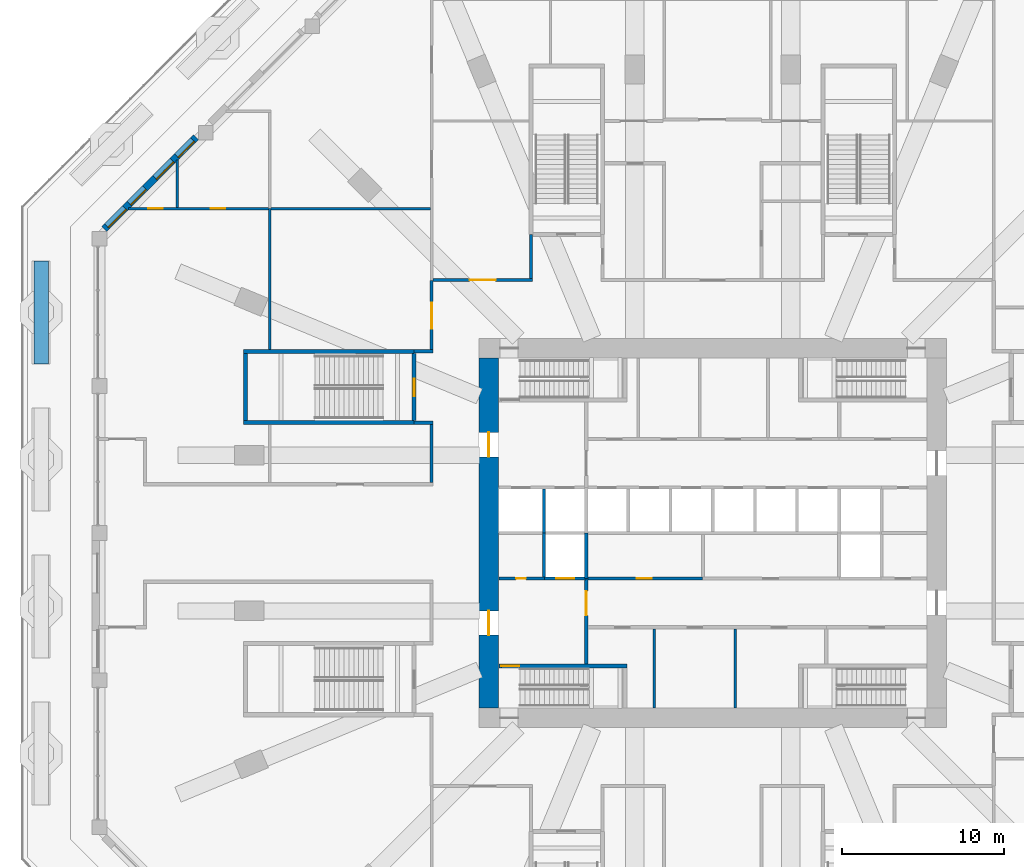
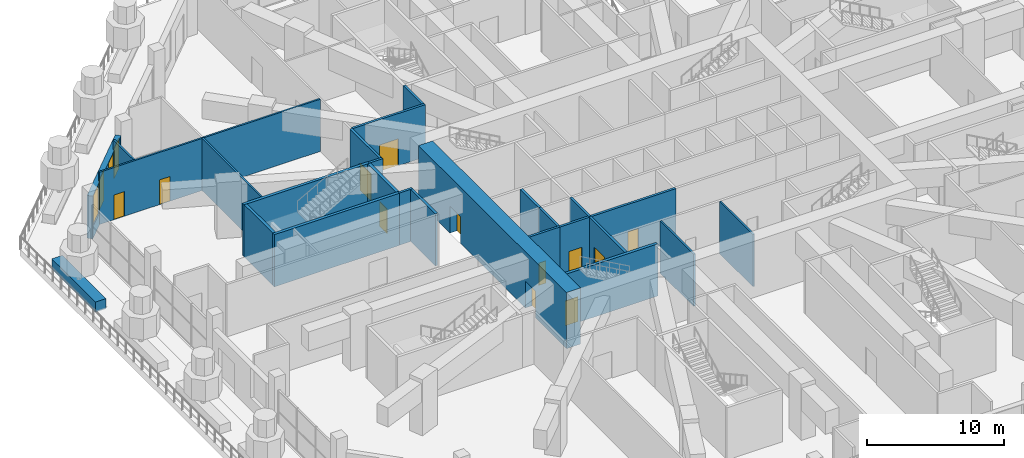
# One storey, part 16 of 25: 26 walls, 12 doors, 4 windows, 16 openings.
"""IFC4 building model written with IfcOpenShell, lengths in metres."""

from ifc_helpers import new_model, si_unit, direction, frame, frame_2d, origin, place, context, subcontext, project, spatial, rectangle, extrude, material, layer, layer_set, type_object, element, fill, save


model = new_model("IFC4")

# Units and contexts
model_context = context("Model", 3, precision=1e-05, world=origin(), true_north=direction((0.0, 1.0)))
body_context = subcontext(model_context, "Body", "Model", "MODEL_VIEW")
ifc_project = project(units=[si_unit("LENGTHUNIT", "METRE"), si_unit("AREAUNIT", "SQUARE_METRE"), si_unit("VOLUMEUNIT", "CUBIC_METRE"), si_unit("PLANEANGLEUNIT", "RADIAN"), si_unit("MASSUNIT", "GRAM", prefix="KILO")], contexts=[model_context])

# Site, building, storey
site_placement = place(None, origin())
site = spatial("IfcSite", under=ifc_project, at=site_placement, CompositionType="ELEMENT")
building_placement = place(site_placement, origin())
building = spatial("IfcBuilding", under=site, at=building_placement, Name="Msitu Wima Residences", CompositionType="ELEMENT")
storey_placement = place(building_placement, frame((0.0, 0.0, 11.0)))
storey = spatial("IfcBuildingStorey", under=building, at=storey_placement, Name="L02", CompositionType="ELEMENT", Elevation=11.0)

# Wall, openings, windows
ifc_material_1 = material(Name="Brick (red buff mix), cavity wall of two leaves", Category="masonry")
ifc_layer_1 = layer(ifc_material_1, 0.449951171875)
ifc_layer_set_1 = layer_set([ifc_layer_1], Name="Brick (red buff mix), cavity wall of two leaves")
wall_type_1 = type_object("IfcWallType", Name="Brick infill wall BW450 podium", PredefinedType="ELEMENTEDWALL", material=ifc_layer_set_1)
wall_1_placement = place(storey_placement, frame((-31.851806640625, 24.394287109375, 0.0), z_axis=(0.0, 0.0, 1.0), x_axis=(-0.707106781187, -0.707106781187, 0.0)))
wall_1 = element("IfcWall", 1, at=wall_1_placement, inside=storey, type_object=wall_type_1, Name="Brick infill wall L02 NW2", PredefinedType="ELEMENTEDWALL", context=body_context, shape_type="SweptSolid", body=[
    extrude(rectangle(XDim=8.00048828125, YDim=0.449951171875, at=frame_2d((4.000244140625, 0.0))), origin(), (0.0, 0.0, 1.0), 3.800048828125),
])
opening_1_placement = place(wall_1_placement, frame((0.250244140625, 0.0, 1.050048828125)))
opening_1 = element("IfcOpeningElement", 2, at=opening_1_placement, cuts=wall_1, Name="Opening W02.011", PredefinedType="OPENING", context=body_context, shape_type="SweptSolid", body=[
    extrude(rectangle(XDim=1.39990234375, YDim=2.699951171875, at=frame_2d((0.699951171875, 1.35009765625))), frame((0.0, 0.23486328125, 0.0), z_axis=(0.0, -1.0, 0.0), x_axis=(1.0, 0.0, 0.0)), (0.0, 0.0, 1.0), 0.469970703125),
])
opening_2_placement = place(wall_1_placement, frame((2.048583984375, 0.0, 1.050048828125)))
opening_2 = element("IfcOpeningElement", 3, at=opening_2_placement, cuts=wall_1, Name="Opening W02.012", PredefinedType="OPENING", context=body_context, shape_type="SweptSolid", body=[
    extrude(rectangle(XDim=1.5, YDim=2.699951171875, at=frame_2d((0.75, 1.35009765625))), frame((0.0, 0.23486328125, 0.0), z_axis=(0.0, -1.0, 0.0), x_axis=(1.0, 0.0, 0.0)), (0.0, 0.0, 1.0), 0.469970703125),
])
opening_3_placement = place(wall_1_placement, frame((4.450439453125, 0.0, 1.050048828125)))
opening_3 = element("IfcOpeningElement", 4, at=opening_3_placement, cuts=wall_1, Name="Opening W02.013", PredefinedType="OPENING", context=body_context, shape_type="SweptSolid", body=[
    extrude(rectangle(XDim=1.340087890625, YDim=2.699951171875, at=frame_2d((0.669921875, 1.35009765625))), frame((0.0, 0.23486328125, 0.0), z_axis=(0.0, -1.0, 0.0), x_axis=(1.0, 0.0, 0.0)), (0.0, 0.0, 1.0), 0.469970703125),
])
opening_4_placement = place(wall_1_placement, frame((6.189697265625, 0.0, 1.050048828125)))
opening_4 = element("IfcOpeningElement", 5, at=opening_4_placement, cuts=wall_1, Name="Opening W02.014", PredefinedType="OPENING", context=body_context, shape_type="SweptSolid", body=[
    extrude(rectangle(XDim=1.56005859375, YDim=2.699951171875, at=frame_2d((0.780029296875, 1.35009765625))), frame((0.0, 0.23486328125, 0.0), z_axis=(0.0, -1.0, 0.0), x_axis=(1.0, 0.0, 0.0)), (0.0, 0.0, 1.0), 0.469970703125),
])
ifc_material_2 = material(Name="Anodised aluminium, bronze finish, clear low-emissivity double glazing", Category="aluminium")
window_type_1 = type_object("IfcWindowType", Name="Window W1340x2700", PartitioningType="DOUBLE_PANEL_VERTICAL", PredefinedType="WINDOW", material=ifc_material_2)
window_1_placement = place(opening_3_placement, origin())
window_1 = element("IfcWindow", 6, at=window_1_placement, inside=storey, type_object=window_type_1, Name="Window L02 NW2.2a", OverallHeight=2.699951171875, OverallWidth=1.340087890625, PartitioningType="SINGLE_PANEL", PredefinedType="WINDOW", context=body_context, shape_type="SweptSolid", body=[
    extrude(rectangle(XDim=1.340087890625, YDim=2.699951171875, at=frame_2d((0.669921875, 1.35009765625))), frame((0.0, 0.135009765625, 0.0), z_axis=(0.0, -1.0, 0.0), x_axis=(1.0, 0.0, 0.0)), (0.0, 0.0, 1.0), 0.06005859375),
])
fill(opening_3, window_1)
window_type_2 = type_object("IfcWindowType", Name="Window W1400x2700", PartitioningType="DOUBLE_PANEL_VERTICAL", PredefinedType="WINDOW", material=ifc_material_2)
window_2_placement = place(opening_1_placement, origin())
window_2 = element("IfcWindow", 7, at=window_2_placement, inside=storey, type_object=window_type_2, Name="Window L02 NW2.1a", OverallHeight=2.699951171875, OverallWidth=1.39990234375, PartitioningType="SINGLE_PANEL", PredefinedType="WINDOW", context=body_context, shape_type="SweptSolid", body=[
    extrude(rectangle(XDim=1.39990234375, YDim=2.699951171875, at=frame_2d((0.699951171875, 1.35009765625))), frame((0.0, 0.135009765625, 0.0), z_axis=(0.0, -1.0, 0.0), x_axis=(1.0, 0.0, 0.0)), (0.0, 0.0, 1.0), 0.06005859375),
])
fill(opening_1, window_2)
window_type_3 = type_object("IfcWindowType", Name="Window W1500x2700", PartitioningType="DOUBLE_PANEL_VERTICAL", PredefinedType="WINDOW", material=ifc_material_2)
window_3_placement = place(opening_2_placement, origin())
window_3 = element("IfcWindow", 8, at=window_3_placement, inside=storey, type_object=window_type_3, Name="Window L02 NW2.1b", OverallHeight=2.699951171875, OverallWidth=1.5, PartitioningType="SINGLE_PANEL", PredefinedType="WINDOW", context=body_context, shape_type="SweptSolid", body=[
    extrude(rectangle(XDim=1.5, YDim=2.699951171875, at=frame_2d((0.75, 1.35009765625))), frame((0.0, 0.135009765625, 0.0), z_axis=(0.0, -1.0, 0.0), x_axis=(1.0, 0.0, 0.0)), (0.0, 0.0, 1.0), 0.06005859375),
])
fill(opening_2, window_3)
window_type_4 = type_object("IfcWindowType", Name="Window W1560x2700", PartitioningType="DOUBLE_PANEL_VERTICAL", PredefinedType="WINDOW", material=ifc_material_2)
window_4_placement = place(opening_4_placement, origin())
window_4 = element("IfcWindow", 9, at=window_4_placement, inside=storey, type_object=window_type_4, Name="Window L02 NW2.2b", OverallHeight=2.699951171875, OverallWidth=1.56005859375, PartitioningType="SINGLE_PANEL", PredefinedType="WINDOW", context=body_context, shape_type="SweptSolid", body=[
    extrude(rectangle(XDim=1.56005859375, YDim=2.699951171875, at=frame_2d((0.780029296875, 1.35009765625))), frame((0.0, 0.135009765625, 0.0), z_axis=(0.0, -1.0, 0.0), x_axis=(1.0, 0.0, 0.0)), (0.0, 0.0, 1.0), 0.06005859375),
])
fill(opening_4, window_4)

# Wall, openings, doors
ifc_material_3 = material(Name="Concrete C80/95", Category="concrete")
ifc_layer_2 = layer(ifc_material_3, 1.199951171875)
ifc_layer_set_2 = layer_set([ifc_layer_2], Name="Concrete C80/95")
wall_type_2 = type_object("IfcWallType", Name="Core wall CW1200 C80/95", PredefinedType="SHEAR", material=ifc_layer_set_2)
wall_2_placement = place(storey_placement, frame((-13.800048828125, -10.800048828125, 0.0), z_axis=(0.0, 0.0, 1.0), x_axis=(0.0, 1.0, 0.0)))
wall_2 = element("IfcWall", 10, at=wall_2_placement, inside=storey, type_object=wall_type_2, Name="Core wall", PredefinedType="SHEAR", context=body_context, shape_type="SweptSolid", body=[
    extrude(rectangle(XDim=21.60009765625, YDim=1.199951171875, at=frame_2d((10.800048828125, 0.0))), origin(), (0.0, 0.0, 1.0), 5.0),
])
opening_5_placement = place(wall_2_placement, frame((15.5, 0.0, 0.0)))
opening_5 = element("IfcOpeningElement", 11, at=opening_5_placement, cuts=wall_2, Name="Opening D02.062", PredefinedType="OPENING", context=body_context, shape_type="SweptSolid", body=[
    extrude(rectangle(XDim=1.5, YDim=2.39990234375, at=frame_2d((0.75, 1.199951171875))), frame((0.0, 0.60986328125, 0.0), z_axis=(0.0, -1.0, 0.0), x_axis=(1.0, 0.0, 0.0)), (0.0, 0.0, 1.0), 1.219970703125),
])
opening_6_placement = place(wall_2_placement, frame((4.5, 0.0, 0.0)))
opening_6 = element("IfcOpeningElement", 12, at=opening_6_placement, cuts=wall_2, Name="Opening D02.063", PredefinedType="OPENING", context=body_context, shape_type="SweptSolid", body=[
    extrude(rectangle(XDim=1.5, YDim=2.39990234375, at=frame_2d((0.75, 1.199951171875))), frame((0.0, 0.60986328125, 0.0), z_axis=(0.0, -1.0, 0.0), x_axis=(1.0, 0.0, 0.0)), (0.0, 0.0, 1.0), 1.219970703125),
])
ifc_material_4 = material(Name="Steel framed glazed door, fire resisting", Category="steel")
door_type_1 = type_object("IfcDoorType", Name="Lobby door D07 1500x2400", OperationType="DOUBLE_DOOR_SINGLE_SWING", PredefinedType="DOOR", material=ifc_material_4)
door_1_placement = place(opening_5_placement, origin())
door_1 = element("IfcDoor", 13, at=door_1_placement, inside=storey, type_object=door_type_1, Name="Lobby door", OperationType="DOUBLE_DOOR_SINGLE_SWING", OverallHeight=2.39990234375, OverallWidth=1.5, PredefinedType="DOOR", context=body_context, shape_type="SweptSolid", body=[
    extrude(rectangle(XDim=1.5, YDim=2.39990234375, at=frame_2d((0.75, 1.199951171875))), frame((0.0, 0.02490234375, 0.0), z_axis=(0.0, -1.0, 0.0), x_axis=(1.0, 0.0, 0.0)), (0.0, 0.0, 1.0), 0.050048828125),
])
fill(opening_5, door_1)
door_2_placement = place(opening_6_placement, origin())
door_2 = element("IfcDoor", 14, at=door_2_placement, inside=storey, type_object=door_type_1, Name="Lobby door", OperationType="DOUBLE_DOOR_SINGLE_SWING", OverallHeight=2.39990234375, OverallWidth=1.5, PredefinedType="DOOR", context=body_context, shape_type="SweptSolid", body=[
    extrude(rectangle(XDim=1.5, YDim=2.39990234375, at=frame_2d((0.75, 1.199951171875))), frame((0.0, 0.02490234375, 0.0), z_axis=(0.0, -1.0, 0.0), x_axis=(1.0, 0.0, 0.0)), (0.0, 0.0, 1.0), 0.050048828125),
])
fill(opening_6, door_2)

# Walls
ifc_material_5 = material(Name="Plaster")
ifc_layer_3 = layer(ifc_material_5, 0.011962890625, Name="Plaster")
ifc_material_6 = material(Name="Concrete blockwork", Category="masonry")
ifc_layer_4 = layer(ifc_material_6, 0.176025390625, Name="Concrete blockwork")
ifc_layer_5 = layer(ifc_material_5, 0.011962890625, Name="Plaster")
ifc_layer_set_3 = layer_set([ifc_layer_3, ifc_layer_4, ifc_layer_5], Name="Concrete blockwork")
wall_type_3 = type_object("IfcWallType", Name="Corridor wall FW200", PredefinedType="PARTITIONING", material=ifc_layer_set_3)
for number, where, z_axis, x_axis, name in (
    (15, (-18.39990234375, 6.800048828125, 0.0), (0.0, 0.0, 1.0), (1.0, 0.0, 0.0), "Corridor wall"),
    (16, (-18.39990234375, 11.199951171875, 0.0), (0.0, 0.0, 1.0), (1.0, 0.0, 0.0), "Corridor wall"),
):
    element("IfcWall", number, at=place(storey_placement, frame(where, z_axis=z_axis, x_axis=x_axis)), inside=storey, type_object=wall_type_3, Name=name, PredefinedType="PARTITIONING", context=body_context, shape_type="SweptSolid", body=[
        extrude(rectangle(XDim=1.171875, YDim=0.199951171875, at=frame_2d((0.5859375, 0.0))), origin(), (0.0, 0.0, 1.0), 4.64990234375),
    ])
wall_3_placement = place(storey_placement, frame((-17.327880859375, 3.10009765625, 0.0), z_axis=(0.0, 0.0, 1.0), x_axis=(0.0, 1.0, 0.0)))
element("IfcWall", 17, at=wall_3_placement, inside=storey, type_object=wall_type_3, Name="Corridor wall", PredefinedType="PARTITIONING", context=body_context, shape_type="SweptSolid", body=[
    extrude(rectangle(XDim=3.599853515625, YDim=0.199951171875, at=frame_2d((1.7998046875, 0.0))), origin(), (0.0, 0.0, 1.0), 4.64990234375),
])

# Wall, opening, door
wall_4_placement = place(storey_placement, frame((-17.327880859375, 11.300048828125, 0.0), z_axis=(0.0, 0.0, 1.0), x_axis=(0.0, 1.0, 0.0)))
wall_4 = element("IfcWall", 18, at=wall_4_placement, inside=storey, type_object=wall_type_3, Name="Corridor wall", PredefinedType="PARTITIONING", context=body_context, shape_type="SweptSolid", body=[
    extrude(rectangle(XDim=4.280029296875, YDim=0.199951171875, at=frame_2d((2.14013671875, 0.0))), origin(), (0.0, 0.0, 1.0), 4.64990234375),
])
opening_7_placement = place(wall_4_placement, frame((1.300048828125, 0.0, 0.0)))
opening_7 = element("IfcOpeningElement", 19, at=opening_7_placement, cuts=wall_4, Name="Opening D02.046", PredefinedType="OPENING", context=body_context, shape_type="SweptSolid", body=[
    extrude(rectangle(XDim=1.60009765625, YDim=2.39990234375, at=frame_2d((0.800048828125, 1.199951171875))), frame((0.0, 0.10986328125, 0.0), z_axis=(0.0, -1.0, 0.0), x_axis=(1.0, 0.0, 0.0)), (0.0, 0.0, 1.0), 0.219970703125),
])
ifc_material_7 = material(Name="Black aluminium glazed door", Category="aluminium")
door_type_2 = type_object("IfcDoorType", Name="Amenity door D10 1600x2400", OperationType="DOUBLE_DOOR_SINGLE_SWING", PredefinedType="DOOR", material=ifc_material_7)
door_3_placement = place(opening_7_placement, origin())
door_3 = element("IfcDoor", 20, at=door_3_placement, inside=storey, type_object=door_type_2, Name="Amenity door", OperationType="DOUBLE_DOOR_SINGLE_SWING", OverallHeight=2.39990234375, OverallWidth=1.60009765625, PredefinedType="DOOR", context=body_context, shape_type="SweptSolid", body=[
    extrude(rectangle(XDim=1.60009765625, YDim=2.39990234375, at=frame_2d((0.800048828125, 1.199951171875))), frame((0.0, 0.02490234375, 0.0), z_axis=(0.0, -1.0, 0.0), x_axis=(1.0, 0.0, 0.0)), (0.0, 0.0, 1.0), 0.050048828125),
])
fill(opening_7, door_3)

wall_5_placement = place(storey_placement, frame((-17.22802734375, 15.60009765625, 0.0), z_axis=(0.0, 0.0, 1.0), x_axis=(1.0, 0.0, 0.0)))
wall_5 = element("IfcWall", 21, at=wall_5_placement, inside=storey, type_object=wall_type_3, Name="Corridor wall", PredefinedType="PARTITIONING", context=body_context, shape_type="SweptSolid", body=[
    extrude(rectangle(XDim=6.1279296875, YDim=0.199951171875, at=frame_2d((3.06396484375, 0.0))), origin(), (0.0, 0.0, 1.0), 4.64990234375),
])
opening_8_placement = place(wall_5_placement, frame((2.25, 0.0, 0.0)))
opening_8 = element("IfcOpeningElement", 22, at=opening_8_placement, cuts=wall_5, Name="Opening D02.040", PredefinedType="OPENING", context=body_context, shape_type="SweptSolid", body=[
    extrude(rectangle(XDim=1.60009765625, YDim=2.39990234375, at=frame_2d((0.800048828125, 1.199951171875))), frame((0.0, 0.10986328125, 0.0), z_axis=(0.0, -1.0, 0.0), x_axis=(1.0, 0.0, 0.0)), (0.0, 0.0, 1.0), 0.219970703125),
])
door_4_placement = place(opening_8_placement, origin())
door_4 = element("IfcDoor", 23, at=door_4_placement, inside=storey, type_object=door_type_2, Name="Amenity door", OperationType="DOUBLE_DOOR_SINGLE_SWING", OverallHeight=2.39990234375, OverallWidth=1.60009765625, PredefinedType="DOOR", context=body_context, shape_type="SweptSolid", body=[
    extrude(rectangle(XDim=1.60009765625, YDim=2.39990234375, at=frame_2d((0.800048828125, 1.199951171875))), frame((0.0, 0.02490234375, 0.0), z_axis=(0.0, -1.0, 0.0), x_axis=(1.0, 0.0, 0.0)), (0.0, 0.0, 1.0), 0.050048828125),
])
fill(opening_8, door_4)

# Wall
wall_6_placement = place(storey_placement, frame((-11.199951171875, 15.699951171875, 0.0), z_axis=(0.0, 0.0, 1.0), x_axis=(0.0, 1.0, 0.0)))
element("IfcWall", 24, at=wall_6_placement, inside=storey, type_object=wall_type_3, Name="Corridor wall", PredefinedType="PARTITIONING", context=body_context, shape_type="SweptSolid", body=[
    extrude(rectangle(XDim=2.699951171875, YDim=0.199951171875, at=frame_2d((1.35009765625, 0.0))), origin(), (0.0, 0.0, 1.0), 4.64990234375),
])

# Wall, opening, door
wall_7_placement = place(storey_placement, frame((-7.820068359375, -2.800048828125, 0.0), z_axis=(0.0, 0.0, 1.0), x_axis=(1.0, 0.0, 0.0)))
wall_7 = element("IfcWall", 25, at=wall_7_placement, inside=storey, type_object=wall_type_3, Name="Corridor wall", PredefinedType="PARTITIONING", context=body_context, shape_type="SweptSolid", body=[
    extrude(rectangle(XDim=7.199951171875, YDim=0.199951171875, at=frame_2d((3.60009765625, 0.0))), origin(), (0.0, 0.0, 1.0), 4.64990234375),
])
opening_9_placement = place(wall_7_placement, frame((3.14990234375, 0.0, 0.0)))
opening_9 = element("IfcOpeningElement", 26, at=opening_9_placement, cuts=wall_7, Name="Opening D02.023", PredefinedType="OPENING", context=body_context, shape_type="SweptSolid", body=[
    extrude(rectangle(XDim=0.89990234375, YDim=2.199951171875, at=frame_2d((0.449951171875, 1.10009765625))), frame((0.0, 0.10986328125, 0.0), z_axis=(0.0, -1.0, 0.0), x_axis=(1.0, 0.0, 0.0)), (0.0, 0.0, 1.0), 0.219970703125),
])
ifc_material_8 = material(Name="Timber flush door", Category="wood")
door_type_3 = type_object("IfcDoorType", Name="Service door D05 900x2200", OperationType="SINGLE_SWING_LEFT", PredefinedType="DOOR", material=ifc_material_8)
door_5_placement = place(opening_9_placement, origin())
door_5 = element("IfcDoor", 27, at=door_5_placement, inside=storey, type_object=door_type_3, Name="Service door", OperationType="SINGLE_SWING_LEFT", OverallHeight=2.199951171875, OverallWidth=0.89990234375, PredefinedType="DOOR", context=body_context, shape_type="SweptSolid", body=[
    extrude(rectangle(XDim=0.89990234375, YDim=2.199951171875, at=frame_2d((0.449951171875, 1.10009765625))), frame((0.0, 0.02490234375, 0.0), z_axis=(0.0, -1.0, 0.0), x_axis=(1.0, 0.0, 0.0)), (0.0, 0.0, 1.0), 0.050048828125),
])
fill(opening_9, door_5)

wall_8_placement = place(storey_placement, frame((-7.800048828125, -8.074951171875, 0.0), z_axis=(0.0, 0.0, 1.0), x_axis=(0.0, 1.0, 0.0)))
wall_8 = element("IfcWall", 28, at=wall_8_placement, inside=storey, type_object=wall_type_3, Name="Corridor wall", PredefinedType="PARTITIONING", context=body_context, shape_type="SweptSolid", body=[
    extrude(rectangle(XDim=5.27490234375, YDim=0.199951171875, at=frame_2d((2.637451171875, 0.0))), origin(), (0.0, 0.0, 1.0), 4.64990234375),
])
opening_10_placement = place(wall_8_placement, frame((3.0, 0.0, 0.0)))
opening_10 = element("IfcOpeningElement", 29, at=opening_10_placement, cuts=wall_8, Name="Opening D02.011", PredefinedType="OPENING", context=body_context, shape_type="SweptSolid", body=[
    extrude(rectangle(XDim=1.5, YDim=2.39990234375, at=frame_2d((0.75, 1.199951171875))), frame((0.0, 0.10986328125, 0.0), z_axis=(0.0, -1.0, 0.0), x_axis=(1.0, 0.0, 0.0)), (0.0, 0.0, 1.0), 0.219970703125),
])
door_6_placement = place(opening_10_placement, origin())
door_6 = element("IfcDoor", 30, at=door_6_placement, inside=storey, type_object=door_type_1, Name="Lobby door", OperationType="DOUBLE_DOOR_SINGLE_SWING", OverallHeight=2.39990234375, OverallWidth=1.5, PredefinedType="DOOR", context=body_context, shape_type="SweptSolid", body=[
    extrude(rectangle(XDim=1.5, YDim=2.39990234375, at=frame_2d((0.75, 1.199951171875))), frame((0.0, 0.02490234375, 0.0), z_axis=(0.0, -1.0, 0.0), x_axis=(1.0, 0.0, 0.0)), (0.0, 0.0, 1.0), 0.050048828125),
])
fill(opening_10, door_6)

# Wall, openings, doors
ifc_layer_6 = layer(ifc_material_5, 0.011962890625, Name="Plaster")
ifc_layer_7 = layer(ifc_material_6, 0.1259765625, Name="Concrete blockwork")
ifc_layer_8 = layer(ifc_material_5, 0.011962890625, Name="Plaster")
ifc_layer_set_4 = layer_set([ifc_layer_6, ifc_layer_7, ifc_layer_8], Name="Concrete blockwork")
wall_type_4 = type_object("IfcWallType", Name="Partition PW150", PredefinedType="PARTITIONING", material=ifc_layer_set_4)
wall_9_placement = place(storey_placement, frame((-36.005615234375, 20.0, 0.0), z_axis=(0.0, 0.0, 1.0), x_axis=(1.0, 0.0, 0.0)))
wall_9 = element("IfcWall", 31, at=wall_9_placement, inside=storey, type_object=wall_type_4, Name="Partition", PredefinedType="PARTITIONING", context=body_context, shape_type="SweptSolid", body=[
    extrude(rectangle(XDim=18.602783203125, YDim=0.14990234375, at=frame_2d((9.30126953125, 0.0))), origin(), (0.0, 0.0, 1.0), 4.64990234375),
])
opening_11_placement = place(wall_9_placement, frame((1.199951171875, 0.0, 0.0)))
opening_11 = element("IfcOpeningElement", 32, at=opening_11_placement, cuts=wall_9, Name="Opening D02.047", PredefinedType="OPENING", context=body_context, shape_type="SweptSolid", body=[
    extrude(rectangle(XDim=0.89990234375, YDim=2.199951171875, at=frame_2d((0.449951171875, 1.10009765625))), frame((0.0, 0.0849609375, 0.0), z_axis=(0.0, -1.0, 0.0), x_axis=(1.0, 0.0, 0.0)), (0.0, 0.0, 1.0), 0.169921875),
])
opening_12_placement = place(wall_9_placement, frame((5.050048828125, 0.0, 0.0)))
opening_12 = element("IfcOpeningElement", 33, at=opening_12_placement, cuts=wall_9, Name="Opening D02.048", PredefinedType="OPENING", context=body_context, shape_type="SweptSolid", body=[
    extrude(rectangle(XDim=0.89990234375, YDim=2.199951171875, at=frame_2d((0.449951171875, 1.10009765625))), frame((0.0, 0.0849609375, 0.0), z_axis=(0.0, -1.0, 0.0), x_axis=(1.0, 0.0, 0.0)), (0.0, 0.0, 1.0), 0.169921875),
])
ifc_material_9 = material(Name="Timber flush door, moisture resistant", Category="wood")
door_type_4 = type_object("IfcDoorType", Name="Bathroom door D03 900x2200", OperationType="SINGLE_SWING_LEFT", PredefinedType="DOOR", material=ifc_material_9)
door_7_placement = place(opening_11_placement, origin())
door_7 = element("IfcDoor", 34, at=door_7_placement, inside=storey, type_object=door_type_4, Name="Bathroom door", OperationType="SINGLE_SWING_RIGHT", OverallHeight=2.199951171875, OverallWidth=0.89990234375, PredefinedType="DOOR", context=body_context, shape_type="SweptSolid", body=[
    extrude(rectangle(XDim=0.89990234375, YDim=2.199951171875, at=frame_2d((0.449951171875, 1.10009765625))), frame((0.0, 0.02490234375, 0.0), z_axis=(0.0, -1.0, 0.0), x_axis=(1.0, 0.0, 0.0)), (0.0, 0.0, 1.0), 0.050048828125),
])
fill(opening_11, door_7)
door_8_placement = place(opening_12_placement, origin())
door_8 = element("IfcDoor", 35, at=door_8_placement, inside=storey, type_object=door_type_4, Name="Bathroom door", OperationType="SINGLE_SWING_LEFT", OverallHeight=2.199951171875, OverallWidth=0.89990234375, PredefinedType="DOOR", context=body_context, shape_type="SweptSolid", body=[
    extrude(rectangle(XDim=0.89990234375, YDim=2.199951171875, at=frame_2d((0.449951171875, 1.10009765625))), frame((0.0, 0.02490234375, 0.0), z_axis=(0.0, -1.0, 0.0), x_axis=(1.0, 0.0, 0.0)), (0.0, 0.0, 1.0), 0.050048828125),
])
fill(opening_12, door_8)

# Walls
wall_10_placement = place(storey_placement, frame((-33.0, 20.074951171875, 0.0), z_axis=(0.0, 0.0, 1.0), x_axis=(0.0, 1.0, 0.0)))
element("IfcWall", 36, at=wall_10_placement, inside=storey, type_object=wall_type_4, Name="Partition", PredefinedType="PARTITIONING", context=body_context, shape_type="SweptSolid", body=[
    extrude(rectangle(XDim=2.9306640625, YDim=0.14990234375, at=frame_2d((1.46533203125, 0.0))), origin(), (0.0, 0.0, 1.0), 4.64990234375),
])
wall_11_placement = place(storey_placement, frame((-27.2919921875, 11.324951171875, 0.0), z_axis=(0.0, 0.0, 1.0), x_axis=(0.0, 1.0, 0.0)))
element("IfcWall", 37, at=wall_11_placement, inside=storey, type_object=wall_type_4, Name="Partition", PredefinedType="PARTITIONING", context=body_context, shape_type="SweptSolid", body=[
    extrude(rectangle(XDim=8.675048828125, YDim=0.14990234375, at=frame_2d((4.33740234375, 0.0))), origin(), (0.0, 0.0, 1.0), 4.64990234375),
])
for number, where, z_axis, x_axis, name in (
    (38, (-3.60009765625, -10.77001953125, 0.0), (0.0, 0.0, 1.0), (0.0, 1.0, 0.0), "Partition"),
    (39, (1.39990234375, -10.77001953125, 0.0), (0.0, 0.0, 1.0), (0.0, 1.0, 0.0), "Partition"),
):
    element("IfcWall", number, at=place(storey_placement, frame(where, z_axis=z_axis, x_axis=x_axis)), inside=storey, type_object=wall_type_4, Name=name, PredefinedType="PARTITIONING", context=body_context, shape_type="SweptSolid", body=[
        extrude(rectangle(XDim=4.8701171875, YDim=0.14990234375, at=frame_2d((2.43505859375, 0.0))), origin(), (0.0, 0.0, 1.0), 4.64990234375),
    ])

# Wall, opening, door
ifc_layer_9 = layer(ifc_material_5, 0.011962890625, Name="Plaster")
ifc_material_10 = material(Name="Reinforced concrete blockwork", Category="masonry")
ifc_layer_10 = layer(ifc_material_10, 0.176025390625, Name="Reinforced concrete blockwork")
ifc_layer_11 = layer(ifc_material_5, 0.011962890625, Name="Plaster")
ifc_layer_set_5 = layer_set([ifc_layer_9, ifc_layer_10, ifc_layer_11], Name="Reinforced concrete blockwork")
wall_type_5 = type_object("IfcWallType", Name="Plant and riser wall PL200", PredefinedType="PARTITIONING", material=ifc_layer_set_5)
wall_12_placement = place(storey_placement, frame((-13.169921875, -2.800048828125, 0.0), z_axis=(0.0, 0.0, 1.0), x_axis=(1.0, 0.0, 0.0)))
wall_12 = element("IfcWall", 40, at=wall_12_placement, inside=storey, type_object=wall_type_5, Name="Plant and riser wall", PredefinedType="PARTITIONING", context=body_context, shape_type="SweptSolid", body=[
    extrude(rectangle(XDim=2.7900390625, YDim=0.199951171875, at=frame_2d((1.39501953125, 0.0))), origin(), (0.0, 0.0, 1.0), 4.64990234375),
])
opening_13_placement = place(wall_12_placement, frame((1.050048828125, 0.0, 0.0)))
opening_13 = element("IfcOpeningElement", 41, at=opening_13_placement, cuts=wall_12, Name="Opening D02.022", PredefinedType="OPENING", context=body_context, shape_type="SweptSolid", body=[
    extrude(rectangle(XDim=0.60009765625, YDim=2.0, at=frame_2d((0.300048828125, 1.0))), frame((0.0, 0.10986328125, 0.0), z_axis=(0.0, -1.0, 0.0), x_axis=(1.0, 0.0, 0.0)), (0.0, 0.0, 1.0), 0.219970703125),
])
ifc_material_11 = material(Name="Steel access door, fire resisting", Category="steel")
door_type_5 = type_object("IfcDoorType", Name="Riser access door D08 600x2000", OperationType="SINGLE_SWING_LEFT", PredefinedType="DOOR", material=ifc_material_11)
door_9_placement = place(opening_13_placement, origin())
door_9 = element("IfcDoor", 42, at=door_9_placement, inside=storey, type_object=door_type_5, Name="Riser access door", OperationType="SINGLE_SWING_RIGHT", OverallHeight=2.0, OverallWidth=0.60009765625, PredefinedType="DOOR", context=body_context, shape_type="SweptSolid", body=[
    extrude(rectangle(XDim=0.60009765625, YDim=2.0, at=frame_2d((0.300048828125, 1.0))), frame((0.0, 0.02490234375, 0.0), z_axis=(0.0, -1.0, 0.0), x_axis=(1.0, 0.0, 0.0)), (0.0, 0.0, 1.0), 0.050048828125),
])
fill(opening_13, door_9)

# Wall
ifc_material_12 = material(Name="Fire-rated board")
ifc_layer_12 = layer(ifc_material_12, 0.02490234375, Name="Fire-rated board")
ifc_material_13 = material(Name="Light-gauge stud framing with mineral wool")
ifc_layer_13 = layer(ifc_material_13, 0.14990234375, Name="Light-gauge stud framing with mineral wool")
ifc_layer_14 = layer(ifc_material_12, 0.02490234375, Name="Fire-rated board")
ifc_layer_set_6 = layer_set([ifc_layer_12, ifc_layer_13, ifc_layer_14], Name="Light-gauge stud framing with mineral wool")
wall_type_6 = type_object("IfcWallType", Name="Shaft wall SH200", PredefinedType="PARTITIONING", material=ifc_layer_set_6)
wall_13_placement = place(storey_placement, frame((-10.39990234375, -2.699951171875, 0.0), z_axis=(0.0, 0.0, 1.0), x_axis=(0.0, 1.0, 0.0)))
element("IfcWall", 43, at=wall_13_placement, inside=storey, type_object=wall_type_6, Name="Shaft wall", PredefinedType="PARTITIONING", context=body_context, shape_type="SweptSolid", body=[
    extrude(rectangle(XDim=2.699951171875, YDim=0.199951171875, at=frame_2d((1.35009765625, 0.0))), origin(), (0.0, 0.0, 1.0), 4.64990234375),
])

# Wall, opening, door
wall_14_placement = place(storey_placement, frame((-10.3798828125, -2.800048828125, 0.0), z_axis=(0.0, 0.0, 1.0), x_axis=(1.0, 0.0, 0.0)))
wall_14 = element("IfcWall", 44, at=wall_14_placement, inside=storey, type_object=wall_type_6, Name="Shaft wall", PredefinedType="PARTITIONING", context=body_context, shape_type="SweptSolid", body=[
    extrude(rectangle(XDim=2.559814453125, YDim=0.199951171875, at=frame_2d((1.27978515625, 0.0))), origin(), (0.0, 0.0, 1.0), 4.64990234375),
])
opening_14_placement = place(wall_14_placement, frame((0.75, 0.0, 0.0)))
opening_14 = element("IfcOpeningElement", 45, at=opening_14_placement, cuts=wall_14, Name="Opening LD", PredefinedType="OPENING", context=body_context, shape_type="SweptSolid", body=[
    extrude(rectangle(XDim=1.10009765625, YDim=2.199951171875, at=frame_2d((0.550048828125, 1.10009765625))), frame((0.0, 0.10986328125, 0.0), z_axis=(0.0, -1.0, 0.0), x_axis=(1.0, 0.0, 0.0)), (0.0, 0.0, 1.0), 0.219970703125),
])
ifc_material_14 = material(Name="Stainless steel centre-opening landing door, rated", Category="steel")
door_type_6 = type_object("IfcDoorType", Name="Lift landing door LD 1100x2200", OperationType="DOUBLE_DOOR_SLIDING", PredefinedType="DOOR", material=ifc_material_14)
door_10_placement = place(opening_14_placement, origin())
door_10 = element("IfcDoor", 46, at=door_10_placement, inside=storey, type_object=door_type_6, Name="Lift landing door LD3", OperationType="DOUBLE_DOOR_SLIDING", OverallHeight=2.199951171875, OverallWidth=1.10009765625, PredefinedType="DOOR", context=body_context, shape_type="SweptSolid", body=[
    extrude(rectangle(XDim=1.10009765625, YDim=2.199951171875, at=frame_2d((0.550048828125, 1.10009765625))), frame((0.0, 0.02490234375, 0.0), z_axis=(0.0, -1.0, 0.0), x_axis=(1.0, 0.0, 0.0)), (0.0, 0.0, 1.0), 0.050048828125),
])
fill(opening_14, door_10)

# Walls
wall_15_placement = place(storey_placement, frame((-10.39990234375, 0.0, 0.0), z_axis=(0.0, 0.0, 1.0), x_axis=(0.0, 1.0, 0.0)))
element("IfcWall", 47, at=wall_15_placement, inside=storey, type_object=wall_type_6, Name="Shaft wall", PredefinedType="PARTITIONING", context=body_context, shape_type="SweptSolid", body=[
    extrude(rectangle(XDim=2.699951171875, YDim=0.199951171875, at=frame_2d((1.35009765625, 0.0))), origin(), (0.0, 0.0, 1.0), 4.64990234375),
])
wall_16_placement = place(storey_placement, frame((-7.800048828125, -2.800048828125, 0.0), z_axis=(0.0, 0.0, 1.0), x_axis=(0.0, 1.0, 0.0)))
element("IfcWall", 48, at=wall_16_placement, inside=storey, type_object=wall_type_6, Name="Shaft wall", PredefinedType="PARTITIONING", context=body_context, shape_type="SweptSolid", body=[
    extrude(rectangle(XDim=2.800048828125, YDim=0.199951171875, at=frame_2d((1.39990234375, 0.0))), origin(), (0.0, 0.0, 1.0), 4.64990234375),
])
ifc_material_15 = material(Name="Concrete C50/60", Category="concrete")
ifc_layer_15 = layer(ifc_material_15, 0.25)
ifc_layer_set_7 = layer_set([ifc_layer_15], Name="Concrete C50/60")
wall_type_7 = type_object("IfcWallType", Name="Stair enclosure wall SW250", PredefinedType="SHEAR", material=ifc_layer_set_7)
wall_17_placement = place(storey_placement, frame((-28.800048828125, 6.925048828125, 0.0), z_axis=(0.0, 0.0, 1.0), x_axis=(0.0, 1.0, 0.0)))
element("IfcWall", 49, at=wall_17_placement, inside=storey, type_object=wall_type_7, Name="Stair enclosure wall", PredefinedType="SHEAR", context=body_context, shape_type="SweptSolid", body=[
    extrude(rectangle(XDim=4.14990234375, YDim=0.25, at=frame_2d((2.074951171875, 0.0))), origin(), (0.0, 0.0, 1.0), 4.64990234375),
])
for number, where, z_axis, x_axis, name in (
    (50, (-28.925048828125, 6.800048828125, 0.0), (0.0, 0.0, 1.0), (1.0, 0.0, 0.0), "Stair enclosure wall"),
    (51, (-28.925048828125, 11.199951171875, 0.0), (0.0, 0.0, 1.0), (1.0, 0.0, 0.0), "Stair enclosure wall"),
):
    element("IfcWall", number, at=place(storey_placement, frame(where, z_axis=z_axis, x_axis=x_axis)), inside=storey, type_object=wall_type_7, Name=name, PredefinedType="SHEAR", context=body_context, shape_type="SweptSolid", body=[
        extrude(rectangle(XDim=10.525146484375, YDim=0.25, at=frame_2d((5.2626953125, 0.0))), origin(), (0.0, 0.0, 1.0), 4.64990234375),
    ])

# Wall, opening, door
wall_18_placement = place(storey_placement, frame((-18.39990234375, 6.925048828125, 0.0), z_axis=(0.0, 0.0, 1.0), x_axis=(0.0, 1.0, 0.0)))
wall_18 = element("IfcWall", 52, at=wall_18_placement, inside=storey, type_object=wall_type_7, Name="Stair enclosure wall", PredefinedType="SHEAR", context=body_context, shape_type="SweptSolid", body=[
    extrude(rectangle(XDim=4.14990234375, YDim=0.25, at=frame_2d((2.074951171875, 0.0))), origin(), (0.0, 0.0, 1.0), 4.64990234375),
])
opening_15_placement = place(wall_18_placement, frame((1.5, 0.0, 0.0)))
opening_15 = element("IfcOpeningElement", 53, at=opening_15_placement, cuts=wall_18, Name="Opening D02.057", PredefinedType="OPENING", context=body_context, shape_type="SweptSolid", body=[
    extrude(rectangle(XDim=1.10009765625, YDim=2.199951171875, at=frame_2d((0.550048828125, 1.10009765625))), frame((0.0, 0.135009765625, 0.0), z_axis=(0.0, -1.0, 0.0), x_axis=(1.0, 0.0, 0.0)), (0.0, 0.0, 1.0), 0.27001953125),
])
ifc_material_16 = material(Name="Steel door, fire resisting, panic bar", Category="steel")
door_type_7 = type_object("IfcDoorType", Name="Stair door D13 1100x2200", OperationType="SINGLE_SWING_LEFT", PredefinedType="DOOR", material=ifc_material_16)
door_11_placement = place(opening_15_placement, origin())
door_11 = element("IfcDoor", 54, at=door_11_placement, inside=storey, type_object=door_type_7, Name="Stair door", OperationType="SINGLE_SWING_LEFT", OverallHeight=2.199951171875, OverallWidth=1.10009765625, PredefinedType="DOOR", context=body_context, shape_type="SweptSolid", body=[
    extrude(rectangle(XDim=1.10009765625, YDim=2.199951171875, at=frame_2d((0.550048828125, 1.10009765625))), frame((0.0, 0.02490234375, 0.0), z_axis=(0.0, -1.0, 0.0), x_axis=(1.0, 0.0, 0.0)), (0.0, 0.0, 1.0), 0.050048828125),
])
fill(opening_15, door_11)

wall_19_placement = place(storey_placement, frame((-13.169921875, -8.199951171875, 0.0), z_axis=(0.0, 0.0, 1.0), x_axis=(1.0, 0.0, 0.0)))
wall_19 = element("IfcWall", 55, at=wall_19_placement, inside=storey, type_object=wall_type_7, Name="Stair enclosure wall", PredefinedType="SHEAR", context=body_context, shape_type="SweptSolid", body=[
    extrude(rectangle(XDim=7.89501953125, YDim=0.25, at=frame_2d((3.947509765625, 0.0))), origin(), (0.0, 0.0, 1.0), 4.64990234375),
])
opening_16_placement = place(wall_19_placement, frame((0.14990234375, 0.0, 0.0)))
opening_16 = element("IfcOpeningElement", 56, at=opening_16_placement, cuts=wall_19, Name="Opening D02.026", PredefinedType="OPENING", context=body_context, shape_type="SweptSolid", body=[
    extrude(rectangle(XDim=1.10009765625, YDim=2.199951171875, at=frame_2d((0.550048828125, 1.10009765625))), frame((0.0, 0.135009765625, 0.0), z_axis=(0.0, -1.0, 0.0), x_axis=(1.0, 0.0, 0.0)), (0.0, 0.0, 1.0), 0.27001953125),
])
door_type_8 = type_object("IfcDoorType", Name="Stair door D06 1100x2200", OperationType="SINGLE_SWING_LEFT", PredefinedType="DOOR", material=ifc_material_16)
door_12_placement = place(opening_16_placement, origin())
door_12 = element("IfcDoor", 57, at=door_12_placement, inside=storey, type_object=door_type_8, Name="Stair door", OperationType="SINGLE_SWING_RIGHT", OverallHeight=2.199951171875, OverallWidth=1.10009765625, PredefinedType="DOOR", context=body_context, shape_type="SweptSolid", body=[
    extrude(rectangle(XDim=1.10009765625, YDim=2.199951171875, at=frame_2d((0.550048828125, 1.10009765625))), frame((0.0, 0.02490234375, 0.0), z_axis=(0.0, -1.0, 0.0), x_axis=(1.0, 0.0, 0.0)), (0.0, 0.0, 1.0), 0.050048828125),
])
fill(opening_16, door_12)

# Wall
ifc_material_17 = material(Name="Facing brick")
ifc_layer_16 = layer(ifc_material_17, 0.06494140625, Name="Facing brick")
ifc_material_18 = material(Name="Concrete C40/50", Category="concrete")
ifc_layer_17 = layer(ifc_material_18, 0.381103515625, Name="Concrete C40/50")
ifc_material_19 = material(Name="Waterproofing membrane")
ifc_layer_18 = layer(ifc_material_19, 0.00390625, Name="Waterproofing membrane")
ifc_material_20 = material(Name="Planting soil and planting")
ifc_layer_19 = layer(ifc_material_20, 0.449951171875, Name="Planting soil and planting")
ifc_layer_set_8 = layer_set([ifc_layer_16, ifc_layer_17, ifc_layer_18, ifc_layer_19], Name="Concrete C40/50")
wall_type_8 = type_object("IfcWallType", Name="Terrace planter PLANTER PL900", PredefinedType="USERDEFINED", material=ifc_layer_set_8)
wall_20_placement = place(storey_placement, frame((-41.39990234375, 16.77783203125, 0.0), z_axis=(0.0, 0.0, 1.0), x_axis=(0.0, -1.0, 0.0)))
element("IfcWall", 58, at=wall_20_placement, inside=storey, type_object=wall_type_8, Name="Terrace planter L02 W0", ObjectType="PLANTER", PredefinedType="USERDEFINED", context=body_context, shape_type="SweptSolid", body=[
    extrude(rectangle(XDim=6.36376953125, YDim=0.89990234375, at=frame_2d((3.181884765625, 0.0))), origin(), (0.0, 0.0, 1.0), 0.89990234375),
])

save(model, "model.ifc")
